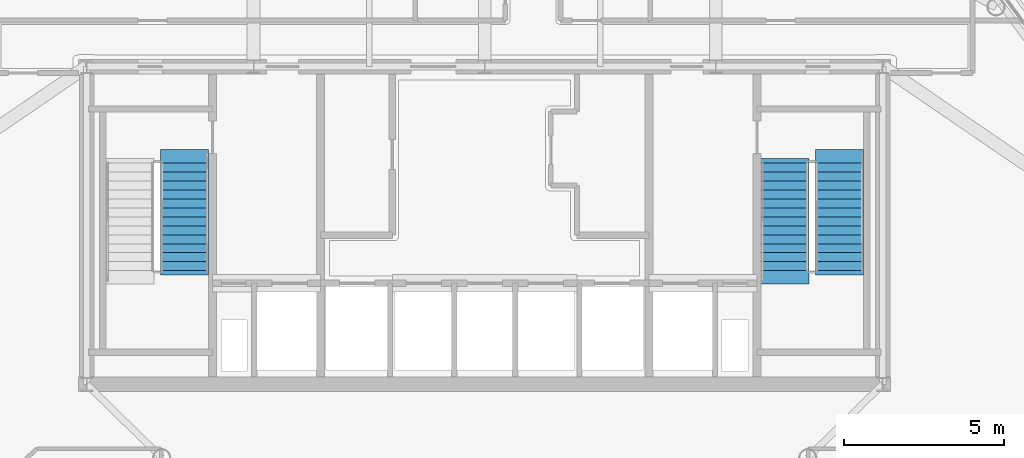
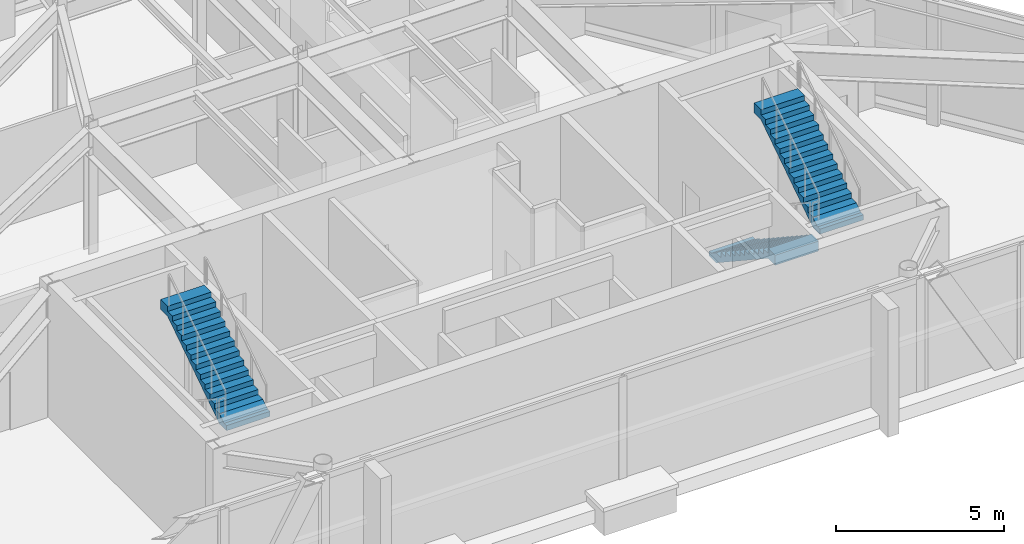
# One storey, part 8 of 10: 3 stair flights, 2 elements without a shape of their own.
"""IFC4 building model written with IfcOpenShell, lengths in metres."""

from ifc_helpers import new_model, si_unit, direction, frame, origin, place, context, subcontext, project, spatial, polyline, outline, extrude, material, layer, layer_set, type_object, element, aggregate, save


model = new_model("IFC4")

# Units and contexts
model_context = context("Model", 3, precision=1e-05, world=origin(), true_north=direction((0.0, 1.0)))
body_context = subcontext(model_context, "Body", "Model", "MODEL_VIEW")
ifc_project = project(units=[si_unit("LENGTHUNIT", "METRE"), si_unit("AREAUNIT", "SQUARE_METRE"), si_unit("VOLUMEUNIT", "CUBIC_METRE"), si_unit("PLANEANGLEUNIT", "RADIAN"), si_unit("MASSUNIT", "GRAM", prefix="KILO")], contexts=[model_context])

# Site, building, storey
site_placement = place(None, origin())
site = spatial("IfcSite", under=ifc_project, at=site_placement, CompositionType="ELEMENT")
building_placement = place(site_placement, origin())
building = spatial("IfcBuilding", under=site, at=building_placement, Name="Talgorran Terracotta Tower", CompositionType="ELEMENT")
storey_placement = place(building_placement, frame((0.0, 0.0, 173.699951171875)))
storey = spatial("IfcBuildingStorey", under=building, at=storey_placement, Name="L45", CompositionType="ELEMENT", Elevation=173.699951171875)

# Stair, stair flight
ifc_material = material(Name="Concrete C40/50", Category="concrete")
stair_type = type_object("IfcStairType", Name="ST_FIRE_SCISSOR", PredefinedType="HALF_TURN_STAIR", material=ifc_material)
stair_1_placement = place(storey_placement, origin())
stair_1 = element("IfcStair", 1, at=stair_1_placement, inside=storey, type_object=stair_type, Name="L45 West Protected Fire Stair ST-01", PredefinedType="HALF_TURN_STAIR")
ifc_layer = layer(ifc_material, 0.179931640625, Name="STF_RC_1500")
ifc_layer_set = layer_set([ifc_layer], Name="Concrete C40/50")
stair_flight_type = type_object("IfcStairFlightType", Name="STF_RC_1500", PredefinedType="STRAIGHT", material=ifc_layer_set)
stair_flight_1_placement = place(storey_placement, frame((-9.35009765625, -10.56005859375, 2.400146484375), z_axis=(0.0, 0.0, 1.0), x_axis=(0.0, 1.0, 0.0)))
stair_flight_1 = element("IfcStairFlight", 2, at=stair_flight_1_placement, type_object=stair_flight_type, Name="ST-01 flight 2", NumberOfRisers=13, NumberOfTreads=12, PredefinedType="STRAIGHT", RiserHeight=0.184615385, TreadLength=0.28, context=body_context, shape_type="SweptSolid", body=[
    extrude(outline(polyline([(-0.139892578125, 0.0), (-0.139892578125, 0.1845703125), (0.0, 0.1845703125), (0.280029296875, 0.369140625), (0.56005859375, 0.369140625), (0.56005859375, 0.553955078125), (0.840087890625, 0.553955078125), (0.840087890625, 0.738525390625), (1.1201171875, 0.738525390625), (1.1201171875, 0.923095703125), (1.39990234375, 0.923095703125), (1.39990234375, 1.107666015625), (1.679931640625, 1.107666015625), (1.679931640625, 1.292236328125), (1.9599609375, 1.292236328125), (1.9599609375, 1.476806640625), (2.239990234375, 1.476806640625), (2.239990234375, 1.66162109375), (2.52001953125, 1.66162109375), (2.52001953125, 1.84619140625), (2.800048828125, 1.84619140625), (2.800048828125, 2.03076171875), (3.080078125, 2.03076171875), (3.080078125, 2.21533203125), (3.360107421875, 2.21533203125), (3.360107421875, 2.39990234375), (3.780029296875, 2.39990234375), (3.780029296875, 2.035888671875), (3.360107421875, 2.035888671875), (0.272216796875, 0.0), (-0.139892578125, 0.0)])), frame((0.0, 0.75, 0.0), z_axis=(0.0, -1.0, 0.0), x_axis=(1.0, 0.0, 0.0)), (0.0, 0.0, 1.0), 1.5),
])
aggregate(stair_1, [stair_flight_1])

# Stair, stair flights
stair_2_placement = place(storey_placement, origin())
stair_2 = element("IfcStair", 3, at=stair_2_placement, inside=storey, type_object=stair_type, Name="L45 East Protected Fire Stair ST-02", PredefinedType="HALF_TURN_STAIR")
stair_flight_2_placement = place(storey_placement, frame((9.35009765625, -7.199951171875, 0.0), z_axis=(0.0, 0.0, 1.0), x_axis=(0.0, -1.0, 0.0)))
stair_flight_2 = element("IfcStairFlight", 4, at=stair_flight_2_placement, type_object=stair_flight_type, Name="ST-02 flight 1", NumberOfRisers=13, NumberOfTreads=12, PredefinedType="STRAIGHT", RiserHeight=0.184615385, TreadLength=0.28, context=body_context, shape_type="SweptSolid", body=[
    extrude(outline(polyline([(-0.139892578125, 0.0), (-0.139892578125, 0.1845703125), (0.0, 0.1845703125), (0.280029296875, 0.369140625), (0.56005859375, 0.369140625), (0.56005859375, 0.553955078125), (0.840087890625, 0.553955078125), (0.840087890625, 0.738525390625), (1.1201171875, 0.738525390625), (1.1201171875, 0.923095703125), (1.39990234375, 0.923095703125), (1.39990234375, 1.107666015625), (1.679931640625, 1.107666015625), (1.679931640625, 1.292236328125), (1.9599609375, 1.292236328125), (1.9599609375, 1.476806640625), (2.239990234375, 1.476806640625), (2.239990234375, 1.66162109375), (2.52001953125, 1.66162109375), (2.52001953125, 1.84619140625), (2.800048828125, 1.84619140625), (2.800048828125, 2.03076171875), (3.080078125, 2.03076171875), (3.080078125, 2.21533203125), (3.360107421875, 2.21533203125), (3.360107421875, 2.39990234375), (3.780029296875, 2.39990234375), (3.780029296875, 2.035888671875), (3.360107421875, 2.035888671875), (0.272216796875, 0.0), (-0.139892578125, 0.0)])), frame((0.0, 0.75, 0.0), z_axis=(0.0, -1.0, 0.0), x_axis=(1.0, 0.0, 0.0)), (0.0, 0.0, 1.0), 1.5),
])
stair_flight_3_placement = place(storey_placement, frame((11.050048828125, -10.56005859375, 2.400146484375), z_axis=(0.0, 0.0, 1.0), x_axis=(0.0, 1.0, 0.0)))
stair_flight_3 = element("IfcStairFlight", 5, at=stair_flight_3_placement, type_object=stair_flight_type, Name="ST-02 flight 2", NumberOfRisers=13, NumberOfTreads=12, PredefinedType="STRAIGHT", RiserHeight=0.184615385, TreadLength=0.28, context=body_context, shape_type="SweptSolid", body=[
    extrude(outline(polyline([(-0.139892578125, 0.0), (-0.139892578125, 0.1845703125), (0.0, 0.1845703125), (0.280029296875, 0.369140625), (0.56005859375, 0.369140625), (0.56005859375, 0.553955078125), (0.840087890625, 0.553955078125), (0.840087890625, 0.738525390625), (1.1201171875, 0.738525390625), (1.1201171875, 0.923095703125), (1.39990234375, 0.923095703125), (1.39990234375, 1.107666015625), (1.679931640625, 1.107666015625), (1.679931640625, 1.292236328125), (1.9599609375, 1.292236328125), (1.9599609375, 1.476806640625), (2.239990234375, 1.476806640625), (2.239990234375, 1.66162109375), (2.52001953125, 1.66162109375), (2.52001953125, 1.84619140625), (2.800048828125, 1.84619140625), (2.800048828125, 2.03076171875), (3.080078125, 2.03076171875), (3.080078125, 2.21533203125), (3.360107421875, 2.21533203125), (3.360107421875, 2.39990234375), (3.780029296875, 2.39990234375), (3.780029296875, 2.035888671875), (3.360107421875, 2.035888671875), (0.272216796875, 0.0), (-0.139892578125, 0.0)])), frame((0.0, 0.75, 0.0), z_axis=(0.0, -1.0, 0.0), x_axis=(1.0, 0.0, 0.0)), (0.0, 0.0, 1.0), 1.5),
])
aggregate(stair_2, [stair_flight_2, stair_flight_3])

save(model, "model.ifc")
